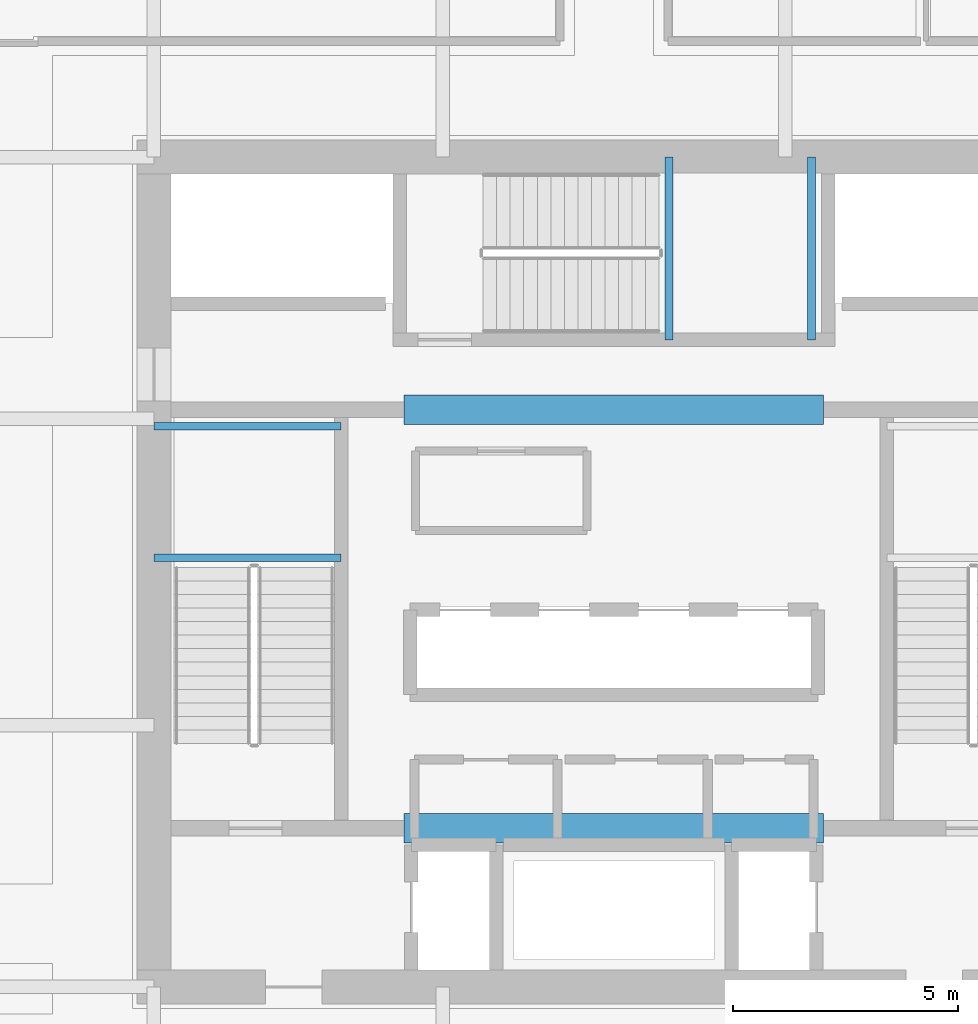
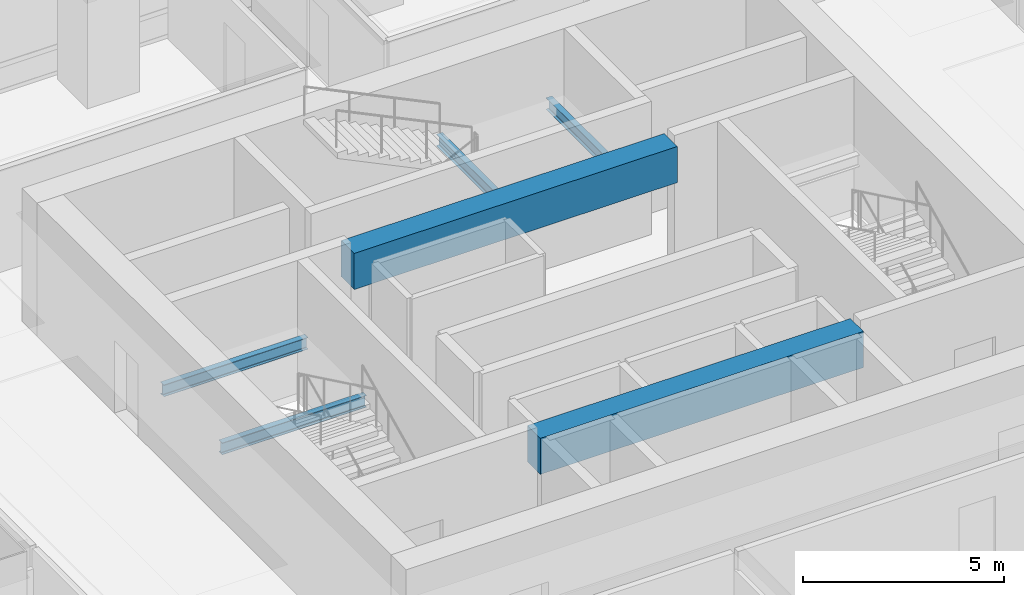
# One storey, part 12 of 36: 6 beams.
"""IFC4 building model written with IfcOpenShell, lengths in metres."""

from ifc_helpers import new_model, si_unit, direction, frame, origin, origin_2d, place, context, subcontext, project, spatial, rectangle, i_section, extrude, material, material_profile, profile_set, type_object, element, save


model = new_model("IFC4")

# Units and contexts
model_context = context("Model", 3, precision=1e-05, world=origin(), true_north=direction((0.0, 1.0)))
body_context = subcontext(model_context, "Body", "Model", "MODEL_VIEW")
ifc_project = project(units=[si_unit("LENGTHUNIT", "METRE"), si_unit("AREAUNIT", "SQUARE_METRE"), si_unit("VOLUMEUNIT", "CUBIC_METRE"), si_unit("PLANEANGLEUNIT", "RADIAN"), si_unit("MASSUNIT", "GRAM", prefix="KILO")], contexts=[model_context])

# Site, building, storey
site_placement = place(None, origin())
site = spatial("IfcSite", under=ifc_project, at=site_placement, CompositionType="ELEMENT")
building_placement = place(site_placement, origin())
building = spatial("IfcBuilding", under=site, at=building_placement, Name="Punatoya Terracotta Tower", CompositionType="ELEMENT")
storey_placement = place(building_placement, frame((0.0, 0.0, 36.300048828125)))
storey = spatial("IfcBuildingStorey", under=building, at=storey_placement, Name="L07", CompositionType="ELEMENT", Elevation=36.300048828125)

# Beams
ifc_material_1 = material(Name="Concrete C60/75", Category="concrete")
ifc_material_profile_1 = material_profile(ifc_material_1, rectangle(XDim=0.64990234375, YDim=1.10009765625, at=origin_2d()))
ifc_profile_set_1 = profile_set([ifc_material_profile_1], Name="Concrete C60/75")
beam_type_1 = type_object("IfcBeamType", Name="BM-RC-1100", PredefinedType="LINTEL", material=ifc_profile_set_1)
for number, where, z_axis, x_axis, name in (
    (1, (-4.64990234375, -5.679931640625, 3.260009765625), (1.0, 0.0, 0.0), (0.0, 1.0, 0.0), "L07 Core Coupling Lintel CSW"),
    (2, (-4.64990234375, 3.60009765625, 3.260009765625), (1.0, 0.0, 0.0), (0.0, 1.0, 0.0), "L07 Core Coupling Lintel CNW"),
):
    element("IfcBeam", number, at=place(storey_placement, frame(where, z_axis=z_axis, x_axis=x_axis)), inside=storey, type_object=beam_type_1, Name=name, PredefinedType="LINTEL", context=body_context, shape_type="SweptSolid", body=[
        extrude(rectangle(XDim=0.64990234375, YDim=1.10009765625, at=origin_2d()), origin(), (0.0, 0.0, 1.0), 9.2998046875),
    ])
ifc_material_2 = material(Name="Steel S355", Category="steel")
ifc_material_profile_2 = material_profile(ifc_material_2, i_section(OverallWidth=0.169921875, OverallDepth=0.360107421875, WebThickness=0.008056640625, FlangeThickness=0.0126953125, FilletRadius=0.01806640625, at=origin_2d()))
ifc_profile_set_2 = profile_set([ifc_material_profile_2], Name="Steel S355")
beam_type_2 = type_object("IfcBeamType", Name="BM-SEC-360", PredefinedType="JOIST", material=ifc_profile_set_2)
for number, where, z_axis, x_axis, name in (
    (3, (-10.199951171875, 0.320068359375, 1.64501953125), (1.0, 0.0, 0.0), (0.0, 1.0, 0.0), "BM-L07-ST-1-LD1A"),
    (4, (-10.199951171875, 3.22998046875, 1.64501953125), (1.0, 0.0, 0.0), (0.0, 1.0, 0.0), "BM-L07-ST-1-LD1B"),
):
    element("IfcBeam", number, at=place(storey_placement, frame(where, z_axis=z_axis, x_axis=x_axis)), inside=storey, type_object=beam_type_2, Name=name, PredefinedType="JOIST", context=body_context, shape_type="SweptSolid", body=[
        extrude(i_section(OverallWidth=0.169921875, OverallDepth=0.360107421875, WebThickness=0.008056640625, FlangeThickness=0.0126953125, FilletRadius=0.01806640625, at=origin_2d()), origin(), (0.0, 0.0, 1.0), 4.14990234375),
    ])
for number, where, z_axis, x_axis, name in (
    (5, (1.219970703125, 5.14990234375, 1.64501953125), (0.0, 1.0, 0.0), (-1.0, 0.0, 0.0), "BM-L07-ST-3-LD1A"),
    (6, (4.3798828125, 5.14990234375, 1.64501953125), (0.0, 1.0, 0.0), (-1.0, 0.0, 0.0), "BM-L07-ST-3-LD1B"),
):
    element("IfcBeam", number, at=place(storey_placement, frame(where, z_axis=z_axis, x_axis=x_axis)), inside=storey, type_object=beam_type_2, Name=name, PredefinedType="JOIST", context=body_context, shape_type="SweptSolid", body=[
        extrude(i_section(OverallWidth=0.169921875, OverallDepth=0.360107421875, WebThickness=0.008056640625, FlangeThickness=0.0126953125, FilletRadius=0.01806640625, at=origin_2d()), origin(), (0.0, 0.0, 1.0), 4.050048828125),
    ])

save(model, "model.ifc")
